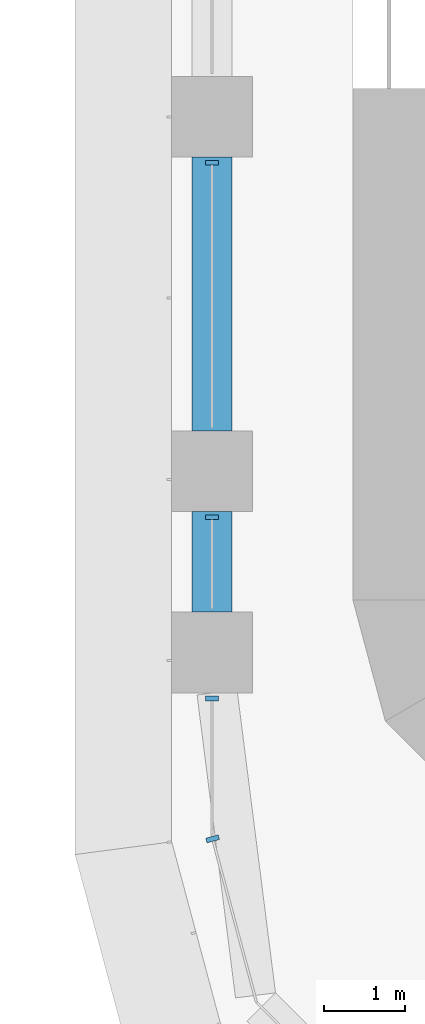
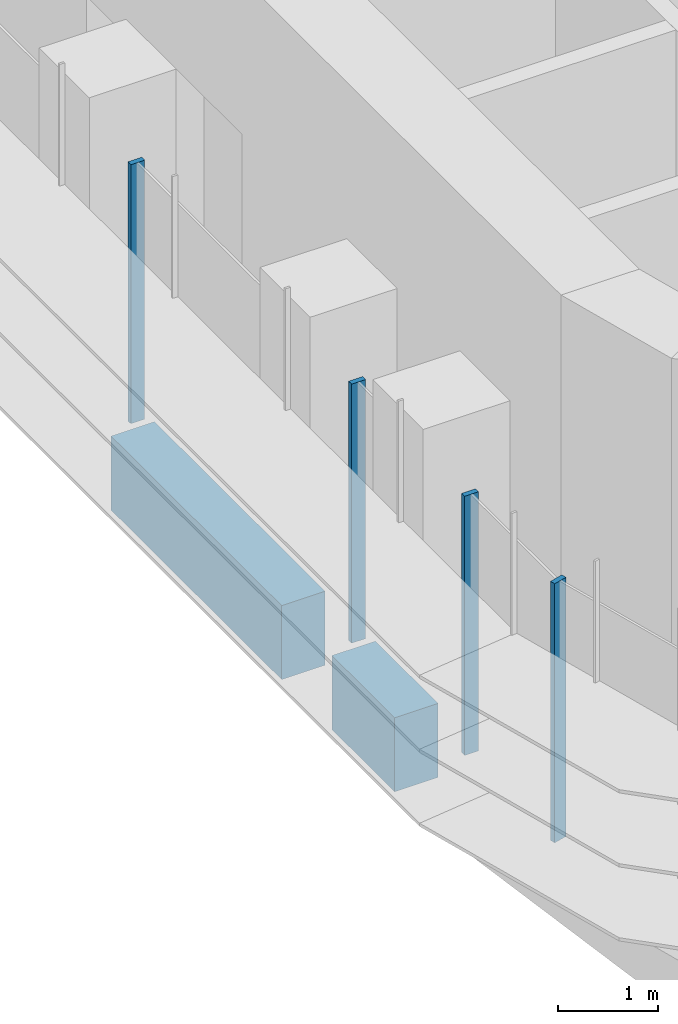
# One storey, part 2 of 23: 4 members, 2 beams, 2 elements without a shape of their own.
"""IFC4 building model written with IfcOpenShell, lengths in metres."""

import ifcopenshell
import ifcopenshell.guid

model = None  # the IFC model being written
_history = None  # IfcOwnerHistory: only IFC2X3 demands one
_inside = {}  # id of a spatial element -> (the spatial element, [elements in it])
_under = {}  # id of a project, library or spatial element -> (it, [spatial elements below it])
_declared = {}  # id of a project -> (the project, [libraries it declares])
_typed = {}  # id of a type object -> (the type object, [elements of that type])
_made_of = {}  # id of a material, layer set ... -> (it, [elements and type objects made of it])


def new_model(schema):
    """Start an empty IFC model of exactly this schema.

    Asked for "IFC4X3", IfcOpenShell would pick the latest addendum, in which some entities
    have other attributes; the version numbers below select the first issue.
    IFC2X3 requires an IfcOwnerHistory on every rooted entity: one is made here for all.
    """
    global model, _history
    if schema == "IFC4X3":
        model = ifcopenshell.file(schema_version=(4, 3, 0, 0))
    else:
        model = ifcopenshell.file(schema=schema)
    _inside.clear()
    _under.clear()
    _declared.clear()
    _typed.clear()
    _made_of.clear()
    _history = None
    if model.schema == "IFC2X3":
        org = make("IfcOrganization", Name="unknown")
        user = make(
            "IfcPersonAndOrganization",
            ThePerson=make("IfcPerson", FamilyName="unknown"),
            TheOrganization=org,
        )
        app = make(
            "IfcApplication",
            ApplicationDeveloper=org,
            Version="unknown",
            ApplicationFullName="unknown",
            ApplicationIdentifier="unknown",
        )
        _history = make(
            "IfcOwnerHistory",
            OwningUser=user,
            OwningApplication=app,
            ChangeAction="ADDED",
            CreationDate=0,
        )
    return model


def make(cls, **values):
    """One entity of the class cls with the attributes given. An attribute that is None is left unset."""
    return model.create_entity(
        cls, **{name: value for name, value in values.items() if value is not None}
    )


def rooted(cls, **values):
    """An entity with a GlobalId (a new one), such as an element, a storey or a relation."""
    return make(cls, GlobalId=ifcopenshell.guid.new(), OwnerHistory=_history, **values)


def si_unit(unit_type, name, prefix=None):
    """IfcSIUnit, for example si_unit("LENGTHUNIT", "METRE", prefix="MILLI")."""
    return make("IfcSIUnit", UnitType=unit_type, Prefix=prefix, Name=name)


def assignment(units):
    """IfcUnitAssignment: the units of a project."""
    return None if units is None else make("IfcUnitAssignment", Units=units)


def point(xyz):
    """IfcCartesianPoint."""
    return None if xyz is None else make("IfcCartesianPoint", Coordinates=xyz)


def direction(xyz):
    """IfcDirection."""
    return None if xyz is None else make("IfcDirection", DirectionRatios=xyz)


def frame(location, z_axis=None, x_axis=None):
    """IfcAxis2Placement3D, a coordinate frame: its origin and axes. An axis left out is left unset."""
    return make(
        "IfcAxis2Placement3D",
        Location=point(location),
        Axis=direction(z_axis),
        RefDirection=direction(x_axis),
    )


def frame_2d(location, x_axis=None):
    """IfcAxis2Placement2D, a coordinate frame in the plane: its origin and x axis."""
    return make(
        "IfcAxis2Placement2D", Location=point(location), RefDirection=direction(x_axis)
    )


def origin():
    """The frame at (0, 0, 0) with its axes left unset."""
    return frame((0.0, 0.0, 0.0))


def origin_2d():
    """The frame at (0, 0) in the plane with its x axis left unset."""
    return frame_2d((0.0, 0.0))


def place(relative_to, where):
    """IfcLocalPlacement: puts the frame where relative to a parent placement (None: the world)."""
    return make(
        "IfcLocalPlacement", PlacementRelTo=relative_to, RelativePlacement=where
    )


def context(
    kind, dimensions, precision=None, world=None, true_north=None, identifier=None
):
    """IfcGeometricRepresentationContext, for example the 3D "Model" context."""
    return make(
        "IfcGeometricRepresentationContext",
        ContextIdentifier=identifier,
        ContextType=kind,
        CoordinateSpaceDimension=dimensions,
        Precision=precision,
        WorldCoordinateSystem=world,
        TrueNorth=true_north,
    )


def subcontext(parent, identifier, kind, view, scale=None):
    """IfcGeometricRepresentationSubContext, for example "Body" below "Model"."""
    return make(
        "IfcGeometricRepresentationSubContext",
        ContextIdentifier=identifier,
        ContextType=kind,
        ParentContext=parent,
        TargetScale=scale,
        TargetView=view,
    )


def project(units=None, contexts=None):
    """IfcProject with its units and contexts."""
    return rooted(
        "IfcProject",
        Name="project",
        RepresentationContexts=contexts,
        UnitsInContext=assignment(units),
    )


def spatial(cls, under=None, at=None, **own):
    """A site, building, storey or space (cls), placed at a placement, below another one or the project."""
    s = rooted(cls, ObjectPlacement=at, **own)
    if under is not None:
        _under.setdefault(under.id(), (under, []))[1].append(s)
    return s


def polyline(points):
    """IfcPolyline through the points."""
    return make("IfcPolyline", Points=[point(p) for p in points])


def profile(cls, at=None, kind="AREA", **sizes):
    """A parametric profile (cls). Its sizes go by their IFC names, for example OverallWidth=200.0."""
    return make(cls, ProfileType=kind, Position=at, **sizes)


def rectangle(**sizes):
    """IfcRectangleProfileDef."""
    return profile("IfcRectangleProfileDef", **sizes)


def outline(outer, holes=None, kind="AREA"):
    """IfcArbitraryClosedProfileDef: a profile drawn as a closed curve; with holes, ...WithVoids."""
    if holes is None:
        return make("IfcArbitraryClosedProfileDef", ProfileType=kind, OuterCurve=outer)
    return make(
        "IfcArbitraryProfileDefWithVoids",
        ProfileType=kind,
        OuterCurve=outer,
        InnerCurves=holes,
    )


def extrude(swept, where, along, depth):
    """IfcExtrudedAreaSolid: the profile swept, set in the frame where, extruded along a direction by depth."""
    return make(
        "IfcExtrudedAreaSolid",
        SweptArea=swept,
        Position=where,
        ExtrudedDirection=direction(along),
        Depth=depth,
    )


def shape(context_of_items, identifier, shape_type, items):
    """IfcShapeRepresentation: the items that make up one representation, for example the "Body"."""
    return make(
        "IfcShapeRepresentation",
        ContextOfItems=context_of_items,
        RepresentationIdentifier=identifier,
        RepresentationType=shape_type,
        Items=items,
    )


def source(mapping_origin, context_of_items, identifier, shape_type, items):
    """IfcRepresentationMap: a shape defined once, which mapped items show again and again."""
    return make(
        "IfcRepresentationMap",
        MappingOrigin=mapping_origin,
        MappedRepresentation=shape(context_of_items, identifier, shape_type, items),
    )


def transform(
    local_origin,
    x_axis=None,
    y_axis=None,
    z_axis=None,
    scale=None,
    scale2=None,
    scale3=None,
    uniform=True,
):
    """IfcCartesianTransformationOperator3D, or its non-uniform kind. x_axis, y_axis, z_axis: its Axis1, 2, 3."""
    if uniform:
        return make(
            "IfcCartesianTransformationOperator3D",
            Axis1=direction(x_axis),
            Axis2=direction(y_axis),
            LocalOrigin=point(local_origin),
            Scale=scale,
            Axis3=direction(z_axis),
        )
    return make(
        "IfcCartesianTransformationOperator3DnonUniform",
        Axis1=direction(x_axis),
        Axis2=direction(y_axis),
        LocalOrigin=point(local_origin),
        Scale=scale,
        Axis3=direction(z_axis),
        Scale2=scale2,
        Scale3=scale3,
    )


def mapped(mapping_source, mapping_target):
    """IfcMappedItem: shows the shape of a source again, moved by a transform."""
    return make(
        "IfcMappedItem", MappingSource=mapping_source, MappingTarget=mapping_target
    )


def material(Name=None, Category=None):
    """IfcMaterial."""
    return make("IfcMaterial", Name=Name, Category=Category)


def material_profile(
    of_material, cross_section, Name=None, Category=None, Priority=None
):
    """IfcMaterialProfile: a cross section and its material."""
    return make(
        "IfcMaterialProfile",
        Name=Name,
        Material=of_material,
        Profile=cross_section,
        Priority=Priority,
        Category=Category,
    )


def profile_set(profiles, Name=None, composite=None):
    """IfcMaterialProfileSet."""
    return make(
        "IfcMaterialProfileSet",
        Name=Name,
        MaterialProfiles=profiles,
        CompositeProfile=composite,
    )


def made_of(thing, what):
    """Note that an element or type object is made of a material, layer set ...; save() writes the relation."""
    if what is not None:
        _made_of.setdefault(what.id(), (what, []))[1].append(thing)
    return thing


def type_object(cls, material=None, **own):
    """A type object (cls), such as IfcWallType, which elements share."""
    return made_of(rooted(cls, **own), material)


def element(
    cls,
    number,
    at=None,
    inside=None,
    cuts=None,
    type_object=None,
    material=None,
    context=None,
    identifier="Body",
    shape_type=None,
    held_by="IfcProductDefinitionShape",
    body=None,
    shapes=None,
    **own,
):
    """One element of the class cls, such as IfcWall. Its Tag is "e" and its number.

    at: its placement. inside: the storey or other place that contains it. cuts: it is an
    opening in that element (IfcRelVoidsElement). A single representation is given by context,
    identifier, shape_type and body (its items); several are given by shapes. held_by: the class
    of the entity that holds the representations. save() writes the other relations.
    """
    e = rooted(cls, Tag="e%d" % number, ObjectPlacement=at, **own)
    if body is not None:
        shapes = [shape(context, identifier, shape_type, body)]
    if shapes is not None:
        e.Representation = make(held_by, Representations=shapes)
    if inside is not None:
        _inside.setdefault(inside.id(), (inside, []))[1].append(e)
    if cuts is not None:
        rooted(
            "IfcRelVoidsElement", RelatingBuildingElement=cuts, RelatedOpeningElement=e
        )
    if type_object is not None:
        _typed.setdefault(type_object.id(), (type_object, []))[1].append(e)
    return made_of(e, material)


def aggregate(whole, parts):
    """IfcRelAggregates: a whole, such as a stair, and the parts it consists of."""
    return rooted("IfcRelAggregates", RelatingObject=whole, RelatedObjects=parts)


def save(model, path):
    """Write the relations noted so far, then the file.

    IfcRelAggregates (storeys below a building ...), IfcRelContainedInSpatialStructure (elements
    in a storey), IfcRelDefinesByType, IfcRelAssociatesMaterial and IfcRelDeclares: one each for
    every whole, place, type object, material and project.
    """
    for whole, parts in _under.values():
        aggregate(whole, parts)
    for where, things in _inside.values():
        rooted(
            "IfcRelContainedInSpatialStructure",
            RelatedElements=things,
            RelatingStructure=where,
        )
    for kind, things in _typed.values():
        rooted("IfcRelDefinesByType", RelatedObjects=things, RelatingType=kind)
    for what, things in _made_of.values():
        rooted("IfcRelAssociatesMaterial", RelatedObjects=things, RelatingMaterial=what)
    for by, libraries in _declared.values():
        rooted("IfcRelDeclares", RelatingContext=by, RelatedDefinitions=libraries)
    model.write(path)


model = new_model("IFC4")

# Units and contexts
model_context = context("Model", 3, precision=1e-05, world=origin(), true_north=direction((0.0, 1.0)))
body_context = subcontext(model_context, "Body", "Model", "MODEL_VIEW")
ifc_project = project(units=[si_unit("LENGTHUNIT", "METRE"), si_unit("AREAUNIT", "SQUARE_METRE"), si_unit("VOLUMEUNIT", "CUBIC_METRE"), si_unit("PLANEANGLEUNIT", "RADIAN"), si_unit("MASSUNIT", "GRAM", prefix="KILO")], contexts=[model_context])

# Site, building, storey
site_placement = place(None, origin())
site = spatial("IfcSite", under=ifc_project, at=site_placement, CompositionType="ELEMENT")
building_placement = place(site_placement, origin())
building = spatial("IfcBuilding", under=site, at=building_placement, Name="Zarbagh Exchange Tower", CompositionType="ELEMENT")
storey_placement = place(building_placement, frame((0.0, 0.0, 60.60009765625)))
storey = spatial("IfcBuildingStorey", under=building, at=storey_placement, Name="L13", CompositionType="ELEMENT", Elevation=60.60009765625)

# Beams
ifc_material_1 = material(Name="Concrete C60/75", Category="concrete")
ifc_material_profile = material_profile(ifc_material_1, rectangle(XDim=0.5, YDim=0.89990234375, at=origin_2d()), Name="RC spandrel beam 500 x 900 C60/75")
ifc_profile_set = profile_set([ifc_material_profile], Name="Concrete C60/75")
beam_type = type_object("IfcBeamType", Name="RC spandrel beam 500 x 900 C60/75", PredefinedType="SPANDREL", material=ifc_profile_set)
beam_1_placement = place(storey_placement, frame((-6.25, -26.39990234375, -0.60009765625), z_axis=(0.0, 1.0, 0.0), x_axis=(-1.0, 0.0, 0.0)))
element("IfcBeam", 1, at=beam_1_placement, inside=storey, type_object=beam_type, Name="RC spandrel beam", PredefinedType="SPANDREL", context=body_context, shape_type="SweptSolid", body=[
    extrude(rectangle(XDim=0.5, YDim=0.89990234375, at=origin_2d()), origin(), (0.0, 0.0, 1.0), 1.25),
])
beam_2_placement = place(storey_placement, frame((-6.25, -24.14990234375, -0.60009765625), z_axis=(0.0, 1.0, 0.0), x_axis=(-1.0, 0.0, 0.0)))
element("IfcBeam", 2, at=beam_2_placement, inside=storey, type_object=beam_type, Name="RC spandrel beam", PredefinedType="SPANDREL", context=body_context, shape_type="SweptSolid", body=[
    extrude(rectangle(XDim=0.5, YDim=0.89990234375, at=origin_2d()), origin(), (0.0, 0.0, 1.0), 3.39990234375),
])

# Curtain wall, members
ifc_material_2 = material(Name="Anodised aluminium frame and glazing", Category="aluminium")
curtain_wall_type = type_object("IfcCurtainWallType", Name="CWA Ribbon glazing, lower zones", PredefinedType="NOTDEFINED", material=ifc_material_2)
curtain_wall_1_placement = place(storey_placement, origin())
curtain_wall_1 = element("IfcCurtainWall", 3, at=curtain_wall_1_placement, inside=storey, type_object=curtain_wall_type, Name="CWA44 curtain wall", PredefinedType="NOTDEFINED")
ifc_material_3 = material(Name="Anodised aluminium frame", Category="aluminium")
member_type = type_object("IfcMemberType", Name="MUA Mullion, anodised aluminium frame", PredefinedType="MULLION", material=ifc_material_3)
shared_shape = source(origin(), body_context, "Body", "SweptSolid", [
    extrude(outline(polyline([(0.0, -0.080078125), (0.06005859375, -0.080078125), (0.06005859375, 0.080078125), (0.0, 0.080078125), (0.0, -0.080078125)])), origin(), (0.0, 0.0, 1.0), 3.14990234375),
])
placement = place(storey_placement, origin())
member_1 = element("IfcMember", 4, at=placement, type_object=member_type, Name="CWA44 mullion 3.1", PredefinedType="MULLION", context=body_context, shape_type="MappedRepresentation", body=[
    mapped(shared_shape, transform((-6.25, -20.7900390625, 0.0), x_axis=(0.0, -1.0, 0.0), y_axis=(1.0, 0.0, 0.0), z_axis=(0.0, 0.0, 1.0))),
])
member_2 = element("IfcMember", 5, at=placement, type_object=member_type, Name="CWA44 mullion 4.1", PredefinedType="MULLION", context=body_context, shape_type="MappedRepresentation", body=[
    mapped(shared_shape, transform((-6.25, -25.18994140625, 0.0), x_axis=(0.0, -1.0, 0.0), y_axis=(1.0, 0.0, 0.0), z_axis=(0.0, 0.0, 1.0))),
])
member_3 = element("IfcMember", 6, at=placement, type_object=member_type, Name="CWA44 mullion 5.1", PredefinedType="MULLION", context=body_context, shape_type="MappedRepresentation", body=[
    mapped(shared_shape, transform((-6.25, -27.43994140625, 0.0), x_axis=(0.0, -1.0, 0.0), y_axis=(1.0, 0.0, 0.0), z_axis=(0.0, 0.0, 1.0))),
])
aggregate(curtain_wall_1, [member_1, member_2, member_3])

# Curtain wall, member
curtain_wall_2_placement = place(storey_placement, origin())
curtain_wall_2 = element("IfcCurtainWall", 7, at=curtain_wall_2_placement, inside=storey, type_object=curtain_wall_type, Name="CWA45 curtain wall", PredefinedType="NOTDEFINED")
member_4 = element("IfcMember", 8, at=placement, type_object=member_type, Name="CWA45 mullion 1.1", PredefinedType="MULLION", context=body_context, shape_type="MappedRepresentation", body=[
    mapped(shared_shape, transform((-6.25, -29.18408203125, 0.0), x_axis=(0.258824779902, -0.965924289636, 0.0), y_axis=(0.965924289636, 0.258824779902, 0.0), z_axis=(0.0, 0.0, 1.0))),
])
aggregate(curtain_wall_2, [member_4])

save(model, "model.ifc")
